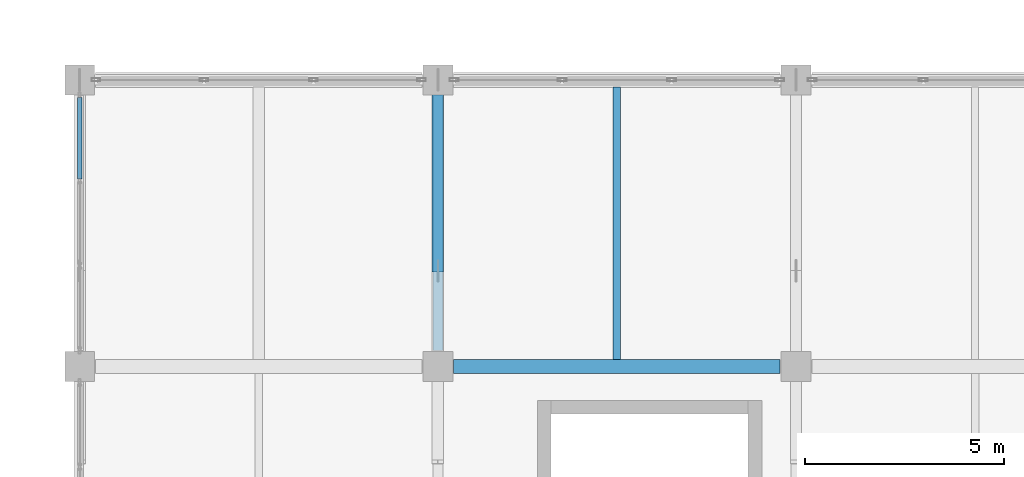
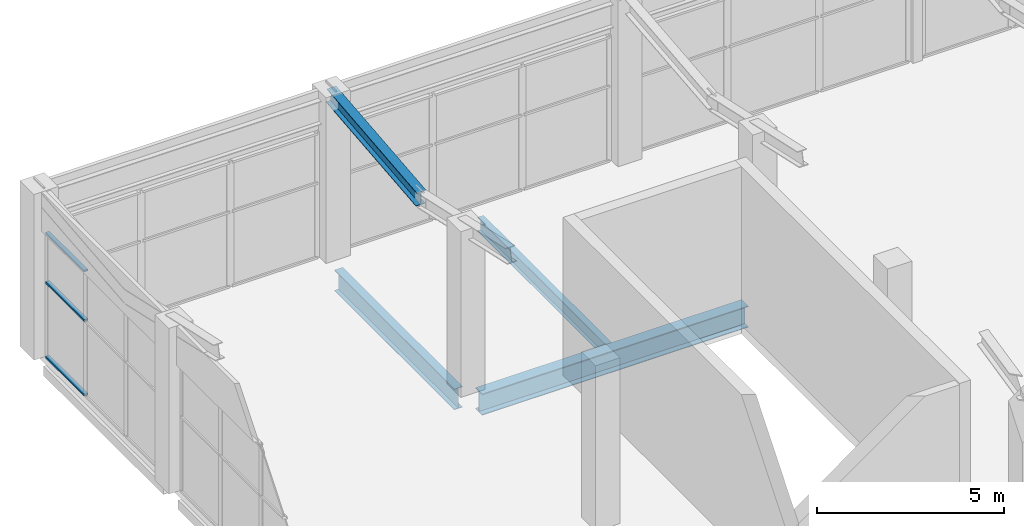
# One storey, part 85 of 189: 4 members, 3 beams, 1 element without a shape of its own.
"""IFC4 building model written with IfcOpenShell, lengths in metres."""

from ifc_helpers import new_model, si_unit, direction, frame, origin, origin_2d, place, context, subcontext, project, spatial, hollow_rectangle, i_section, extrude, material, layer, layer_set, material_profile, profile_set, type_object, element, aggregate, save


model = new_model("IFC4")

# Units and contexts
model_context = context("Model", 3, precision=1e-05, world=origin(), true_north=direction((0.0, 1.0)))
body_context = subcontext(model_context, "Body", "Model", "MODEL_VIEW")
ifc_project = project(units=[si_unit("LENGTHUNIT", "METRE"), si_unit("AREAUNIT", "SQUARE_METRE"), si_unit("VOLUMEUNIT", "CUBIC_METRE"), si_unit("PLANEANGLEUNIT", "RADIAN"), si_unit("MASSUNIT", "GRAM", prefix="KILO")], contexts=[model_context])

# Site, building, storey
site_placement = place(None, origin())
site = spatial("IfcSite", under=ifc_project, at=site_placement, CompositionType="ELEMENT")
building_placement = place(site_placement, origin())
building = spatial("IfcBuilding", under=site, at=building_placement, Name="Celestram Park Convention Centre", CompositionType="ELEMENT")
storey_placement = place(building_placement, frame((0.0, 0.0, 5.39990234375)))
storey = spatial("IfcBuildingStorey", under=building, at=storey_placement, Name="L01", CompositionType="ELEMENT", Elevation=5.39990234375)

# Curtain wall, members
ifc_material_1 = material(Name="Anodised Aluminium Alloy 6063-T6", Category="aluminium")
ifc_layer = layer(ifc_material_1, 0.179931640625)
ifc_layer_set = layer_set([ifc_layer], Name="Anodised Aluminium Alloy 6063-T6")
curtain_wall_type = type_object("IfcCurtainWallType", Name="ARC-CW-645X410", PredefinedType="NOTDEFINED", material=ifc_layer_set)
curtain_wall_placement = place(storey_placement, origin())
curtain_wall = element("IfcCurtainWall", 1, at=curtain_wall_placement, inside=storey, type_object=curtain_wall_type, Name="Unitised curtain wall CU-L01-046", PredefinedType="NOTDEFINED")
ifc_material_profile_1 = material_profile(ifc_material_1, hollow_rectangle(XDim=0.1201171875, YDim=0.06005859375, WallThickness=0.0029296875, at=origin_2d()), Name="ALU120X60X3")
ifc_profile_set_1 = profile_set([ifc_material_profile_1], Name="Anodised Aluminium Alloy 6063-T6")
member_type_1 = type_object("IfcMemberType", Name="ARC-CWT-120", PredefinedType="USERDEFINED", material=ifc_profile_set_1)
member_1_placement = place(storey_placement, frame((0.0, 134.30810546875, 0.030029296875), z_axis=(0.0, 1.0, 0.0), x_axis=(-1.0, 0.0, 0.0)))
member_1 = element("IfcMember", 2, at=member_1_placement, type_object=member_type_1, Name="CW-64X41 transom 3.1", ObjectType="TRANSOM", PredefinedType="USERDEFINED", context=body_context, shape_type="SweptSolid", body=[
    extrude(hollow_rectangle(XDim=0.1201171875, YDim=0.06005859375, WallThickness=0.0029296875, at=origin_2d()), origin(), (0.0, 0.0, 1.0), 2.053955078125),
])
member_2_placement = place(storey_placement, frame((0.0, 134.30810546875, 2.460205078125), z_axis=(0.0, 1.0, 0.0), x_axis=(-1.0, 0.0, 0.0)))
member_2 = element("IfcMember", 3, at=member_2_placement, type_object=member_type_1, Name="CW-64X41 transom 3.2", ObjectType="TRANSOM", PredefinedType="USERDEFINED", context=body_context, shape_type="SweptSolid", body=[
    extrude(hollow_rectangle(XDim=0.1201171875, YDim=0.06005859375, WallThickness=0.0029296875, at=origin_2d()), origin(), (0.0, 0.0, 1.0), 2.053955078125),
])
member_3_placement = place(storey_placement, frame((0.0, 134.30810546875, 4.070068359375), z_axis=(0.0, 1.0, 0.0), x_axis=(-1.0, 0.0, 0.0)))
member_3 = element("IfcMember", 4, at=member_3_placement, type_object=member_type_1, Name="CW-64X41 transom 3.3", ObjectType="TRANSOM", PredefinedType="USERDEFINED", context=body_context, shape_type="SweptSolid", body=[
    extrude(hollow_rectangle(XDim=0.1201171875, YDim=0.06005859375, WallThickness=0.0029296875, at=origin_2d()), origin(), (0.0, 0.0, 1.0), 2.053955078125),
])
aggregate(curtain_wall, [member_1, member_2, member_3])

# Beams
ifc_material_2 = material(Name="Steel ASTM A992 Grade 50", Category="steel")
ifc_material_profile_2 = material_profile(ifc_material_2, i_section(OverallWidth=0.35595703125, OverallDepth=0.696044921875, WebThickness=0.015380859375, FlangeThickness=0.02490234375, at=origin_2d()), Name="W27X146")
ifc_profile_set_2 = profile_set([ifc_material_profile_2], Name="Steel ASTM A992 Grade 50")
beam_type_1 = type_object("IfcBeamType", Name="STR-BM-W27X146", PredefinedType="BEAM", material=ifc_profile_set_2)
beam_1_placement = place(storey_placement, frame((9.39794921875, 129.60009765625, -0.6279296875), z_axis=(1.0, 0.0, 0.0), x_axis=(0.0, 1.0, 0.0)))
element("IfcBeam", 5, at=beam_1_placement, inside=storey, type_object=beam_type_1, Name="Primary X-girder BG-L01-0015", PredefinedType="BEAM", context=body_context, shape_type="SweptSolid", body=[
    extrude(i_section(OverallWidth=0.35595703125, OverallDepth=0.696044921875, WebThickness=0.015380859375, FlangeThickness=0.02490234375, at=origin_2d()), origin(), (0.0, 0.0, 1.0), 8.2041015625),
])
ifc_material_profile_3 = material_profile(ifc_material_2, i_section(OverallWidth=0.25390625, OverallDepth=0.68310546875, WebThickness=0.012451171875, FlangeThickness=0.01904296875, at=origin_2d()), Name="W27X94")
ifc_profile_set_3 = profile_set([ifc_material_profile_3], Name="Steel ASTM A992 Grade 50")
beam_type_2 = type_object("IfcBeamType", Name="STR-BM-W27X94", PredefinedType="BEAM", material=ifc_profile_set_3)
beam_2_placement = place(storey_placement, frame((9.0, 129.998046875, -0.621337890625), z_axis=(0.0, 1.0, 0.0), x_axis=(-1.0, 0.0, 0.0)))
element("IfcBeam", 6, at=beam_2_placement, inside=storey, type_object=beam_type_2, Name="Primary Y-girder BG-L01-0016", PredefinedType="BEAM", context=body_context, shape_type="SweptSolid", body=[
    extrude(i_section(OverallWidth=0.25390625, OverallDepth=0.68310546875, WebThickness=0.012451171875, FlangeThickness=0.01904296875, at=origin_2d()), origin(), (0.0, 0.0, 1.0), 6.404052734375),
])

# Member
ifc_material_profile_4 = material_profile(ifc_material_2, i_section(OverallWidth=0.281982421875, OverallDepth=0.467041015625, WebThickness=0.01220703125, FlangeThickness=0.01953125, at=origin_2d()), Name="W18X86")
ifc_profile_set_4 = profile_set([ifc_material_profile_4], Name="Steel ASTM A992 Grade 50")
member_type_2 = type_object("IfcMemberType", Name="STR-CHD-W18X86", PredefinedType="CHORD", material=ifc_profile_set_4)
member_4_placement = place(storey_placement, frame((9.0, 132.0, 4.680908203125), z_axis=(0.0, 0.994972344387, 0.100150056942), x_axis=(-1.0, 0.0, 0.0)))
element("IfcMember", 7, at=member_4_placement, inside=storey, type_object=member_type_2, Name="WPV arch bottom chord", PredefinedType="CHORD", context=body_context, shape_type="SweptSolid", body=[
    extrude(i_section(OverallWidth=0.281982421875, OverallDepth=0.467041015625, WebThickness=0.01220703125, FlangeThickness=0.01953125, at=origin_2d()), origin(), (0.0, 0.0, 1.0), 4.82421875),
])

# Beam
ifc_material_profile_5 = material_profile(ifc_material_2, i_section(OverallWidth=0.19091796875, OverallDepth=0.45703125, WebThickness=0.009033203125, FlangeThickness=0.014404296875, at=origin_2d()), Name="W18X50")
ifc_profile_set_5 = profile_set([ifc_material_profile_5], Name="Steel ASTM A992 Grade 50")
beam_type_3 = type_object("IfcBeamType", Name="STR-JST-W18X50", PredefinedType="JOIST", material=ifc_profile_set_5)
beam_3_placement = place(storey_placement, frame((13.5, 129.77392578125, -0.50830078125), z_axis=(0.0, 1.0, 0.0), x_axis=(-1.0, 0.0, 0.0)))
element("IfcBeam", 8, at=beam_3_placement, inside=storey, type_object=beam_type_3, Name="Secondary composite joist BG-L01-0550", PredefinedType="JOIST", context=body_context, shape_type="SweptSolid", body=[
    extrude(i_section(OverallWidth=0.19091796875, OverallDepth=0.45703125, WebThickness=0.009033203125, FlangeThickness=0.014404296875, at=origin_2d()), origin(), (0.0, 0.0, 1.0), 6.843994140625),
])

save(model, "model.ifc")
